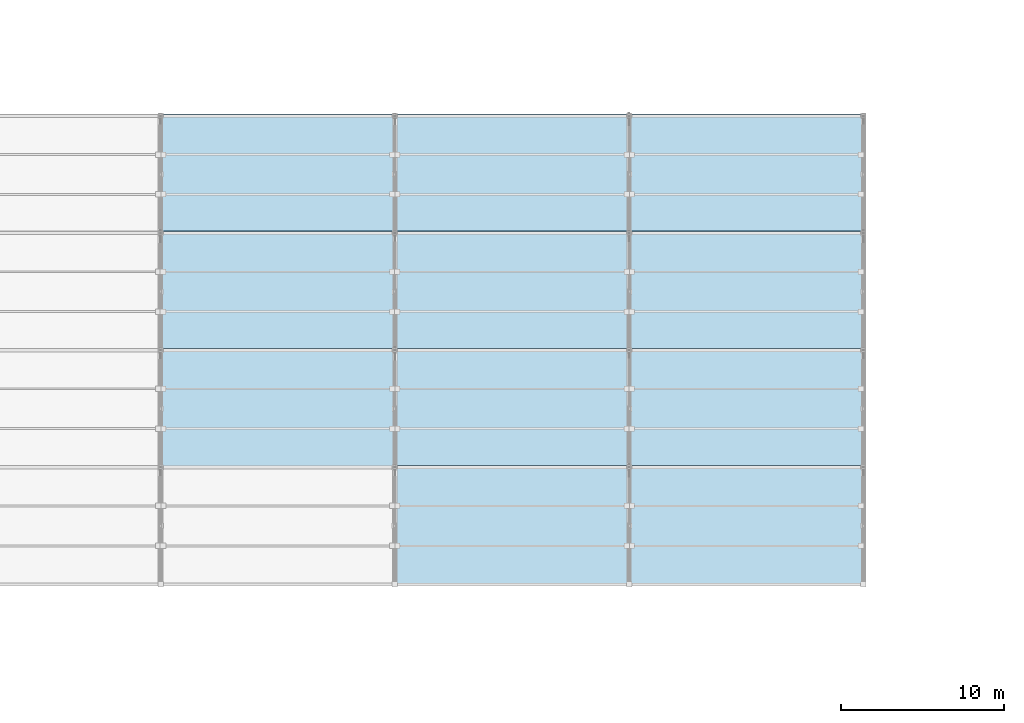
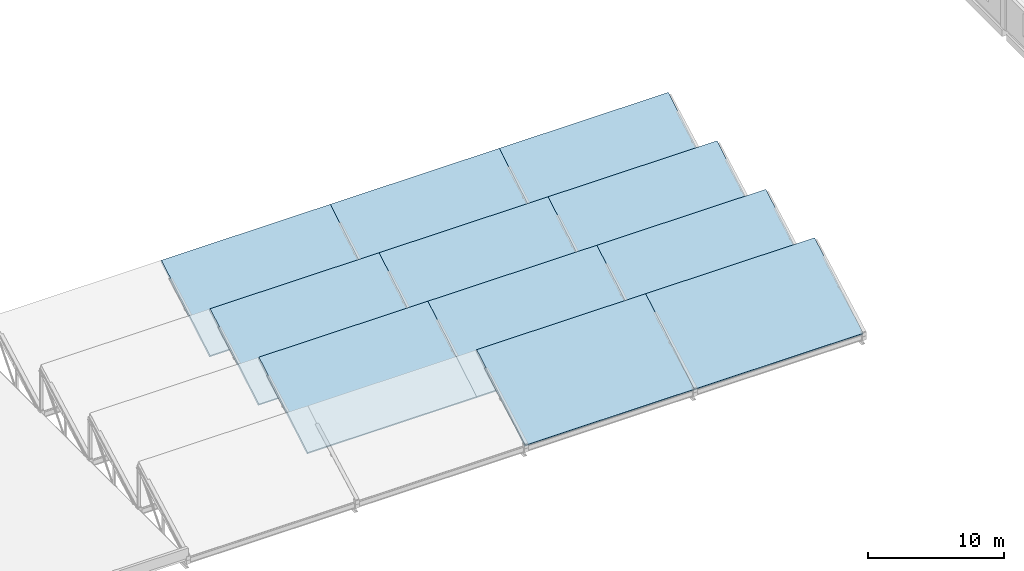
# One storey, part 29 of 51: 11 slabs.
"""IFC4 building model written with IfcOpenShell, lengths in metres."""

from ifc_helpers import new_model, si_unit, direction, frame, origin, place, context, subcontext, project, spatial, polyline, outline, extrude, material, layer, layer_set, type_object, element, save


model = new_model("IFC4")

# Units and contexts
model_context = context("Model", 3, precision=1e-05, world=origin(), true_north=direction((0.0, 1.0)))
body_context = subcontext(model_context, "Body", "Model", "MODEL_VIEW")
ifc_project = project(units=[si_unit("LENGTHUNIT", "METRE"), si_unit("AREAUNIT", "SQUARE_METRE"), si_unit("VOLUMEUNIT", "CUBIC_METRE"), si_unit("PLANEANGLEUNIT", "RADIAN"), si_unit("MASSUNIT", "GRAM", prefix="KILO")], contexts=[model_context])

# Site, building, storey
site_placement = place(None, origin())
site = spatial("IfcSite", under=ifc_project, at=site_placement, CompositionType="ELEMENT")
building_placement = place(site_placement, origin())
building = spatial("IfcBuilding", under=site, at=building_placement, Name="Valkovuoma Quantum and Materials Research Institute", CompositionType="ELEMENT")
storey_placement = place(building_placement, frame((0.0, 0.0, 17.280029296875)))
storey = spatial("IfcBuildingStorey", under=building, at=storey_placement, Name="L04", CompositionType="ELEMENT", Elevation=17.280029296875)

# Slabs
ifc_material = material(Name="Concrete C40/50", Category="concrete")
ifc_layer = layer(ifc_material, 0.219970703125)
ifc_layer_set = layer_set([ifc_layer], Name="Concrete C40/50")
slab_type = type_object("IfcSlabType", Name="Slab-SL-RF220", PredefinedType="ROOF", material=ifc_layer_set)
slab_1_placement = place(storey_placement, frame((72.0, 36.0, 0.0), z_axis=(0.0, -0.507440168832, 0.861686993668), x_axis=(1.0, 0.0, 0.0)))
element("IfcSlab", 1, at=slab_1_placement, inside=storey, type_object=slab_type, Name="L04 VOL2 sawtooth sloped roof 1.3", PredefinedType="ROOF", context=body_context, shape_type="SweptSolid", body=[
    extrude(outline(polyline([(0.0, 0.0), (14.39990234375, 0.0), (14.39990234375, 8.355645640223115), (0.0, 8.355645640223115), (0.0, 0.0)])), origin(), (0.0, 0.0, -1.0), 0.219970703125),
])
slab_2_placement = place(storey_placement, frame((86.39990234375, 36.0, 0.0), z_axis=(0.0, -0.507440168832, 0.861686993668), x_axis=(1.0, 0.0, 0.0)))
element("IfcSlab", 2, at=slab_2_placement, inside=storey, type_object=slab_type, Name="L04 VOL2 sawtooth sloped roof 1.4", PredefinedType="ROOF", context=body_context, shape_type="SweptSolid", body=[
    extrude(outline(polyline([(0.0, 0.0), (14.400146484375, 0.0), (14.400146484375, 8.355645640223115), (0.0, 8.355645640223115), (0.0, 0.0)])), origin(), (0.0, 0.0, -1.0), 0.219970703125),
])
for number, where, z_axis, x_axis, name in (
    (3, (57.60009765625, 43.199951171875, 0.0), (0.0, -0.507440168832, 0.861686993668), (1.0, 0.0, 0.0), "L04 VOL2 sawtooth sloped roof 2.2"),
    (4, (72.0, 43.199951171875, 0.0), (0.0, -0.507440168832, 0.861686993668), (1.0, 0.0, 0.0), "L04 VOL2 sawtooth sloped roof 2.3"),
):
    element("IfcSlab", number, at=place(storey_placement, frame(where, z_axis=z_axis, x_axis=x_axis)), inside=storey, type_object=slab_type, Name=name, PredefinedType="ROOF", context=body_context, shape_type="SweptSolid", body=[
        extrude(outline(polyline([(0.0, 0.0), (14.39990234375, 0.0), (14.39990234375, 8.355645640223115), (0.0, 8.355645640223115), (0.0, 0.0)])), origin(), (0.0, 0.0, -1.0), 0.219970703125),
    ])
slab_3_placement = place(storey_placement, frame((86.39990234375, 43.199951171875, 0.0), z_axis=(0.0, -0.507440168832, 0.861686993668), x_axis=(1.0, 0.0, 0.0)))
element("IfcSlab", 5, at=slab_3_placement, inside=storey, type_object=slab_type, Name="L04 VOL2 sawtooth sloped roof 2.4", PredefinedType="ROOF", context=body_context, shape_type="SweptSolid", body=[
    extrude(outline(polyline([(0.0, 0.0), (14.400146484375, 0.0), (14.400146484375, 8.355645640223115), (0.0, 8.355645640223115), (0.0, 0.0)])), origin(), (0.0, 0.0, -1.0), 0.219970703125),
])
for number, where, z_axis, x_axis, name in (
    (6, (57.60009765625, 50.39990234375, 0.0), (0.0, -0.507427393112, 0.861694517053), (1.0, 0.0, 0.0), "L04 VOL2 sawtooth sloped roof 3.2"),
    (7, (72.0, 50.39990234375, 0.0), (0.0, -0.507427393112, 0.861694517053), (1.0, 0.0, 0.0), "L04 VOL2 sawtooth sloped roof 3.3"),
):
    element("IfcSlab", number, at=place(storey_placement, frame(where, z_axis=z_axis, x_axis=x_axis)), inside=storey, type_object=slab_type, Name=name, PredefinedType="ROOF", context=body_context, shape_type="SweptSolid", body=[
        extrude(outline(polyline([(0.0, 0.0), (14.39990234375, 0.0), (14.39990234375, 8.355856013942697), (0.0, 8.355856013942697), (0.0, 0.0)])), origin(), (0.0, 0.0, -1.0), 0.219970703125),
    ])
slab_4_placement = place(storey_placement, frame((86.39990234375, 50.39990234375, 0.0), z_axis=(0.0, -0.507427393112, 0.861694517053), x_axis=(1.0, 0.0, 0.0)))
element("IfcSlab", 8, at=slab_4_placement, inside=storey, type_object=slab_type, Name="L04 VOL2 sawtooth sloped roof 3.4", PredefinedType="ROOF", context=body_context, shape_type="SweptSolid", body=[
    extrude(outline(polyline([(0.0, 0.0), (14.400146484375, 0.0), (14.400146484375, 8.355856013942697), (0.0, 8.355856013942697), (0.0, 0.0)])), origin(), (0.0, 0.0, -1.0), 0.219970703125),
])
for number, where, z_axis, x_axis, name in (
    (9, (57.60009765625, 57.60009765625, 0.0), (0.0, -0.507440168832, 0.861686993668), (1.0, 0.0, 0.0), "L04 VOL2 sawtooth sloped roof 4.2"),
    (10, (72.0, 57.60009765625, 0.0), (0.0, -0.507440168832, 0.861686993668), (1.0, 0.0, 0.0), "L04 VOL2 sawtooth sloped roof 4.3"),
):
    element("IfcSlab", number, at=place(storey_placement, frame(where, z_axis=z_axis, x_axis=x_axis)), inside=storey, type_object=slab_type, Name=name, PredefinedType="ROOF", context=body_context, shape_type="SweptSolid", body=[
        extrude(outline(polyline([(0.0, 0.0), (14.39990234375, 0.0), (14.39990234375, 8.355645640223115), (0.0, 8.355645640223115), (0.0, 0.0)])), origin(), (0.0, 0.0, -1.0), 0.219970703125),
    ])
slab_5_placement = place(storey_placement, frame((86.39990234375, 57.60009765625, 0.0), z_axis=(0.0, -0.507440168832, 0.861686993668), x_axis=(1.0, 0.0, 0.0)))
element("IfcSlab", 11, at=slab_5_placement, inside=storey, type_object=slab_type, Name="L04 VOL2 sawtooth sloped roof 4.4", PredefinedType="ROOF", context=body_context, shape_type="SweptSolid", body=[
    extrude(outline(polyline([(0.0, 0.0), (14.400146484375, 0.0), (14.400146484375, 8.355645640223115), (0.0, 8.355645640223115), (0.0, 0.0)])), origin(), (0.0, 0.0, -1.0), 0.219970703125),
])

save(model, "model.ifc")
